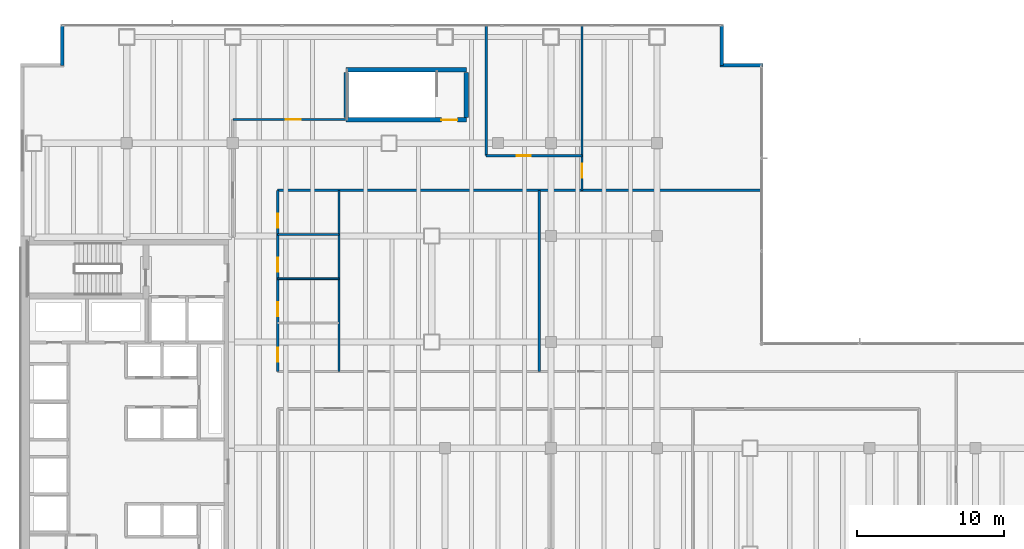
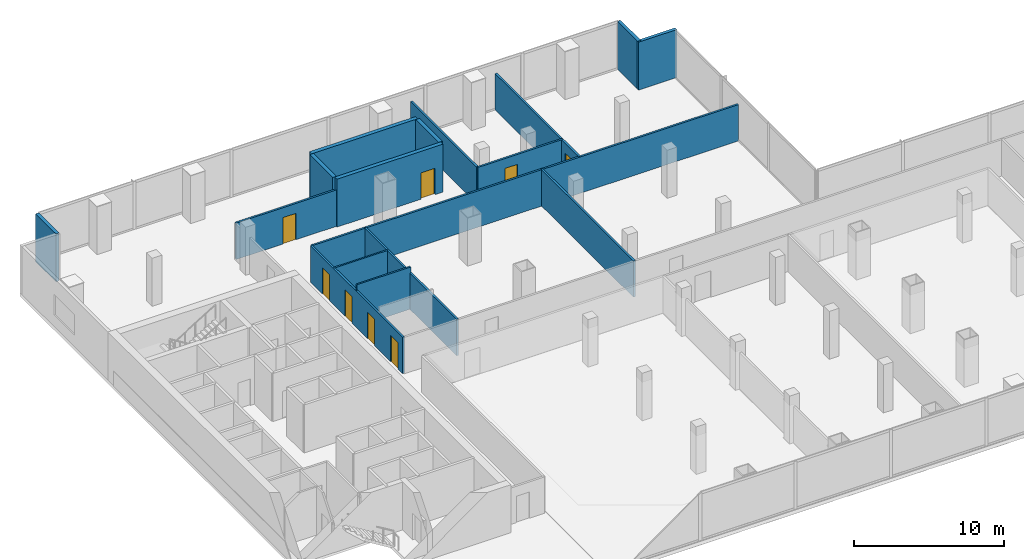
# One storey, part 25 of 32: 17 walls, 8 doors, 8 openings.
"""IFC4 building model written with IfcOpenShell, lengths in metres."""

from ifc_helpers import new_model, si_unit, direction, frame, frame_2d, origin, place, context, subcontext, project, spatial, rectangle, extrude, material, layer, layer_set, type_object, element, fill, save


model = new_model("IFC4")

# Units and contexts
model_context = context("Model", 3, precision=1e-05, world=origin(), true_north=direction((0.0, 1.0)))
body_context = subcontext(model_context, "Body", "Model", "MODEL_VIEW")
ifc_project = project(units=[si_unit("LENGTHUNIT", "METRE"), si_unit("AREAUNIT", "SQUARE_METRE"), si_unit("VOLUMEUNIT", "CUBIC_METRE"), si_unit("PLANEANGLEUNIT", "RADIAN"), si_unit("MASSUNIT", "GRAM", prefix="KILO")], contexts=[model_context])

# Site, building, storey
site_placement = place(None, origin())
site = spatial("IfcSite", under=ifc_project, at=site_placement, CompositionType="ELEMENT")
building_placement = place(site_placement, origin())
building = spatial("IfcBuilding", under=site, at=building_placement, Name="Cobrela Telecom Tower", CompositionType="ELEMENT")
storey_placement = place(building_placement, frame((0.0, 0.0, 22.050048828125)))
storey = spatial("IfcBuildingStorey", under=building, at=storey_placement, Name="L05", CompositionType="ELEMENT", Elevation=22.050048828125)

# Walls
ifc_material_1 = material(Name="Concrete C40/50", Category="concrete")
ifc_layer_1 = layer(ifc_material_1, 0.239990234375)
ifc_layer_set_1 = layer_set([ifc_layer_1], Name="Concrete C40/50")
wall_type_1 = type_object("IfcWallType", Name="WALL-EXT-300", PredefinedType="STANDARD", material=ifc_layer_set_1)
for number, where, z_axis, x_axis, name in (
    (1, (2.820068359375, 47.580078125, 0.0), (0.0, 0.0, 1.0), (0.0, 1.0, 0.0), "L05 Insulated Facade Wall 06"),
    (2, (47.580078125, 50.280029296875, 0.0), (0.0, 0.0, 1.0), (0.0, -1.0, 0.0), "L05 Insulated Facade Wall 08"),
):
    element("IfcWall", number, at=place(storey_placement, frame(where, z_axis=z_axis, x_axis=x_axis)), inside=storey, type_object=wall_type_1, Name=name, PredefinedType="STANDARD", context=body_context, shape_type="SweptSolid", body=[
        extrude(rectangle(XDim=2.699951171875, YDim=0.239990234375, at=frame_2d((1.35009765625, 0.0))), origin(), (0.0, 0.0, 1.0), 3.89990234375),
    ])
wall_1_placement = place(storey_placement, frame((47.4599609375, 47.580078125, 0.0), z_axis=(0.0, 0.0, 1.0), x_axis=(1.0, 0.0, 0.0)))
element("IfcWall", 3, at=wall_1_placement, inside=storey, type_object=wall_type_1, Name="L05 Insulated Facade Wall 09", PredefinedType="STANDARD", context=body_context, shape_type="SweptSolid", body=[
    extrude(rectangle(XDim=2.93994140625, YDim=0.239990234375, at=frame_2d((1.469970703125, 0.0))), origin(), (0.0, 0.0, 1.0), 3.89990234375),
])
ifc_material_2 = material(Name="Fire-Rated Gypsum Plasterboard")
ifc_layer_2 = layer(ifc_material_2, 0.125)
ifc_layer_set_2 = layer_set([ifc_layer_2], Name="Fire-Rated Gypsum Plasterboard")
wall_type_2 = type_object("IfcWallType", Name="WALL-PART-125", PredefinedType="PARTITIONING", material=ifc_layer_set_2)
wall_2_placement = place(storey_placement, frame((17.449951171875, 36.10009765625, 0.0), z_axis=(0.0, 0.0, 1.0), x_axis=(1.0, 0.0, 0.0)))
element("IfcWall", 4, at=wall_2_placement, inside=storey, type_object=wall_type_2, Name="L05 Interior Partition W-P4WC-1", PredefinedType="PARTITIONING", context=body_context, shape_type="SweptSolid", body=[
    extrude(rectangle(XDim=4.150146484375, YDim=0.125, at=frame_2d((2.0751953125, 0.0))), origin(), (0.0, 0.0, 1.0), 2.9580078125),
])
wall_3_placement = place(storey_placement, frame((17.449951171875, 33.10009765625, 0.0), z_axis=(0.0, 0.0, 1.0), x_axis=(1.0, 0.0, 0.0)))
element("IfcWall", 5, at=wall_3_placement, inside=storey, type_object=wall_type_2, Name="L05 Interior Partition W-P4WC-2", PredefinedType="PARTITIONING", context=body_context, shape_type="SweptSolid", body=[
    extrude(rectangle(XDim=4.150146484375, YDim=0.125, at=frame_2d((2.0751953125, 0.0))), origin(), (0.0, 0.0, 1.0), 3.41796875),
])

# Wall, openings, doors
ifc_layer_3 = layer(ifc_material_2, 0.14990234375)
ifc_layer_set_3 = layer_set([ifc_layer_3], Name="Fire-Rated Gypsum Plasterboard")
wall_type_3 = type_object("IfcWallType", Name="WALL-PART-150", PredefinedType="PARTITIONING", material=ifc_layer_set_3)
wall_4_placement = place(storey_placement, frame((17.449951171875, 26.800048828125, 0.0), z_axis=(0.0, 0.0, 1.0), x_axis=(0.0, 1.0, 0.0)))
wall_4 = element("IfcWall", 6, at=wall_4_placement, inside=storey, type_object=wall_type_3, Name="L05 Interior Partition W-P4-E2", PredefinedType="PARTITIONING", context=body_context, shape_type="SweptSolid", body=[
    extrude(rectangle(XDim=12.300048828125, YDim=0.14990234375, at=frame_2d((6.14990234375, 0.0))), origin(), (0.0, 0.0, 1.0), 2.9580078125),
])
opening_1_placement = place(wall_4_placement, frame((9.760009765625, 0.0, 0.0)))
opening_1 = element("IfcOpeningElement", 7, at=opening_1_placement, cuts=wall_4, Name="Opening DR-67", PredefinedType="OPENING", context=body_context, shape_type="SweptSolid", body=[
    extrude(rectangle(XDim=0.949951171875, YDim=2.14990234375, at=frame_2d((0.47509765625, 1.074951171875))), frame((0.0, 0.0869140625, 0.0), z_axis=(0.0, -1.0, 0.0), x_axis=(1.0, 0.0, 0.0)), (0.0, 0.0, 1.0), 0.173828125),
])
opening_2_placement = place(wall_4_placement, frame((6.760009765625, 0.0, 0.0)))
opening_2 = element("IfcOpeningElement", 8, at=opening_2_placement, cuts=wall_4, Name="Opening DR-67", PredefinedType="OPENING", context=body_context, shape_type="SweptSolid", body=[
    extrude(rectangle(XDim=0.949951171875, YDim=2.14990234375, at=frame_2d((0.47509765625, 1.074951171875))), frame((0.0, 0.0869140625, 0.0), z_axis=(0.0, -1.0, 0.0), x_axis=(1.0, 0.0, 0.0)), (0.0, 0.0, 1.0), 0.173828125),
])
opening_3_placement = place(wall_4_placement, frame((3.760009765625, 0.0, 0.0)))
opening_3 = element("IfcOpeningElement", 9, at=opening_3_placement, cuts=wall_4, Name="Opening DR-67", PredefinedType="OPENING", context=body_context, shape_type="SweptSolid", body=[
    extrude(rectangle(XDim=0.949951171875, YDim=2.14990234375, at=frame_2d((0.47509765625, 1.074951171875))), frame((0.0, 0.0869140625, 0.0), z_axis=(0.0, -1.0, 0.0), x_axis=(1.0, 0.0, 0.0)), (0.0, 0.0, 1.0), 0.173828125),
])
opening_4_placement = place(wall_4_placement, frame((0.64990234375, 0.0, 0.0)))
opening_4 = element("IfcOpeningElement", 10, at=opening_4_placement, cuts=wall_4, Name="Opening DR-67", PredefinedType="OPENING", context=body_context, shape_type="SweptSolid", body=[
    extrude(rectangle(XDim=0.949951171875, YDim=2.14990234375, at=frame_2d((0.47509765625, 1.074951171875))), frame((0.0, 0.0869140625, 0.0), z_axis=(0.0, -1.0, 0.0), x_axis=(1.0, 0.0, 0.0)), (0.0, 0.0, 1.0), 0.173828125),
])
ifc_material_3 = material(Name="Solid Engineered Oak Timber", Category="wood")
door_type_1 = type_object("IfcDoorType", Name="DOOR-INT-950", OperationType="SINGLE_SWING_LEFT", PredefinedType="DOOR", material=ifc_material_3)
door_1_placement = place(opening_1_placement, origin())
door_1 = element("IfcDoor", 11, at=door_1_placement, inside=storey, type_object=door_type_1, Name="L05 Door DR-67", OperationType="SINGLE_SWING_LEFT", OverallHeight=2.14990234375, OverallWidth=0.949951171875, PredefinedType="DOOR", context=body_context, shape_type="SweptSolid", body=[
    extrude(rectangle(XDim=0.949951171875, YDim=2.14990234375, at=frame_2d((0.47509765625, 1.074951171875))), frame((0.0, 0.02490234375, 0.0), z_axis=(0.0, -1.0, 0.0), x_axis=(1.0, 0.0, 0.0)), (0.0, 0.0, 1.0), 0.050048828125),
])
fill(opening_1, door_1)
door_2_placement = place(opening_2_placement, origin())
door_2 = element("IfcDoor", 12, at=door_2_placement, inside=storey, type_object=door_type_1, Name="L05 Door DR-67", OperationType="SINGLE_SWING_RIGHT", OverallHeight=2.14990234375, OverallWidth=0.949951171875, PredefinedType="DOOR", context=body_context, shape_type="SweptSolid", body=[
    extrude(rectangle(XDim=0.949951171875, YDim=2.14990234375, at=frame_2d((0.47509765625, 1.074951171875))), frame((0.0, 0.02490234375, 0.0), z_axis=(0.0, -1.0, 0.0), x_axis=(1.0, 0.0, 0.0)), (0.0, 0.0, 1.0), 0.050048828125),
])
fill(opening_2, door_2)
door_3_placement = place(opening_3_placement, origin())
door_3 = element("IfcDoor", 13, at=door_3_placement, inside=storey, type_object=door_type_1, Name="L05 Door DR-67", OperationType="SINGLE_SWING_LEFT", OverallHeight=2.14990234375, OverallWidth=0.949951171875, PredefinedType="DOOR", context=body_context, shape_type="SweptSolid", body=[
    extrude(rectangle(XDim=0.949951171875, YDim=2.14990234375, at=frame_2d((0.47509765625, 1.074951171875))), frame((0.0, 0.02490234375, 0.0), z_axis=(0.0, -1.0, 0.0), x_axis=(1.0, 0.0, 0.0)), (0.0, 0.0, 1.0), 0.050048828125),
])
fill(opening_3, door_3)
door_4_placement = place(opening_4_placement, origin())
door_4 = element("IfcDoor", 14, at=door_4_placement, inside=storey, type_object=door_type_1, Name="L05 Door DR-67", OperationType="SINGLE_SWING_RIGHT", OverallHeight=2.14990234375, OverallWidth=0.949951171875, PredefinedType="DOOR", context=body_context, shape_type="SweptSolid", body=[
    extrude(rectangle(XDim=0.949951171875, YDim=2.14990234375, at=frame_2d((0.47509765625, 1.074951171875))), frame((0.0, 0.02490234375, 0.0), z_axis=(0.0, -1.0, 0.0), x_axis=(1.0, 0.0, 0.0)), (0.0, 0.0, 1.0), 0.050048828125),
])
fill(opening_4, door_4)

# Wall, opening, door
wall_5_placement = place(storey_placement, frame((14.39990234375, 43.89990234375, 0.0), z_axis=(0.0, 0.0, 1.0), x_axis=(1.0, 0.0, 0.0)))
wall_5 = element("IfcWall", 15, at=wall_5_placement, inside=storey, type_object=wall_type_3, Name="L05 Interior Partition W-P4-N1", PredefinedType="PARTITIONING", context=body_context, shape_type="SweptSolid", body=[
    extrude(rectangle(XDim=7.7001953125, YDim=0.14990234375, at=frame_2d((3.85009765625, 0.0))), origin(), (0.0, 0.0, 1.0), 2.9580078125),
])
opening_5_placement = place(wall_5_placement, frame((3.60009765625, 0.0, 0.0)))
opening_5 = element("IfcOpeningElement", 16, at=opening_5_placement, cuts=wall_5, Name="Opening DR-31", PredefinedType="OPENING", context=body_context, shape_type="SweptSolid", body=[
    extrude(rectangle(XDim=1.0, YDim=2.14990234375, at=frame_2d((0.5, 1.074951171875))), frame((0.0, 0.0869140625, 0.0), z_axis=(0.0, -1.0, 0.0), x_axis=(1.0, 0.0, 0.0)), (0.0, 0.0, 1.0), 0.173828125),
])
door_type_2 = type_object("IfcDoorType", Name="DOOR-INT-1000", OperationType="SINGLE_SWING_LEFT", PredefinedType="DOOR", material=ifc_material_3)
door_5_placement = place(opening_5_placement, origin())
door_5 = element("IfcDoor", 17, at=door_5_placement, inside=storey, type_object=door_type_2, Name="L05 Door DR-31", OperationType="SINGLE_SWING_LEFT", OverallHeight=2.14990234375, OverallWidth=1.0, PredefinedType="DOOR", context=body_context, shape_type="SweptSolid", body=[
    extrude(rectangle(XDim=1.0, YDim=2.14990234375, at=frame_2d((0.5, 1.074951171875))), frame((0.0, 0.02490234375, 0.0), z_axis=(0.0, -1.0, 0.0), x_axis=(1.0, 0.0, 0.0)), (0.0, 0.0, 1.0), 0.050048828125),
])
fill(opening_5, door_5)

wall_6_placement = place(storey_placement, frame((31.60009765625, 41.449951171875, 0.0), z_axis=(0.0, 0.0, 1.0), x_axis=(1.0, 0.0, 0.0)))
wall_6 = element("IfcWall", 18, at=wall_6_placement, inside=storey, type_object=wall_type_3, Name="L05 Interior Partition W-P4-N2C", PredefinedType="PARTITIONING", context=body_context, shape_type="SweptSolid", body=[
    extrude(rectangle(XDim=6.5, YDim=0.14990234375, at=frame_2d((3.25, 0.0))), origin(), (0.0, 0.0, 1.0), 2.9580078125),
])
opening_6_placement = place(wall_6_placement, frame((2.080078125, 0.0, 0.0)))
opening_6 = element("IfcOpeningElement", 19, at=opening_6_placement, cuts=wall_6, Name="Opening DR-67", PredefinedType="OPENING", context=body_context, shape_type="SweptSolid", body=[
    extrude(rectangle(XDim=0.949951171875, YDim=2.14990234375, at=frame_2d((0.47509765625, 1.074951171875))), frame((0.0, 0.0869140625, 0.0), z_axis=(0.0, -1.0, 0.0), x_axis=(1.0, 0.0, 0.0)), (0.0, 0.0, 1.0), 0.173828125),
])
door_6_placement = place(opening_6_placement, origin())
door_6 = element("IfcDoor", 20, at=door_6_placement, inside=storey, type_object=door_type_1, Name="L05 Door DR-67", OperationType="SINGLE_SWING_RIGHT", OverallHeight=2.14990234375, OverallWidth=0.949951171875, PredefinedType="DOOR", context=body_context, shape_type="SweptSolid", body=[
    extrude(rectangle(XDim=0.949951171875, YDim=2.14990234375, at=frame_2d((0.47509765625, 1.074951171875))), frame((0.0, 0.02490234375, 0.0), z_axis=(0.0, -1.0, 0.0), x_axis=(1.0, 0.0, 0.0)), (0.0, 0.0, 1.0), 0.050048828125),
])
fill(opening_6, door_6)

# Walls
wall_7_placement = place(storey_placement, frame((17.449951171875, 39.10009765625, 0.0), z_axis=(0.0, 0.0, 1.0), x_axis=(1.0, 0.0, 0.0)))
element("IfcWall", 21, at=wall_7_placement, inside=storey, type_object=wall_type_3, Name="L05 Interior Partition W-P4-N2B", PredefinedType="PARTITIONING", context=body_context, shape_type="SweptSolid", body=[
    extrude(rectangle(XDim=32.830078125, YDim=0.14990234375, at=frame_2d((16.4150390625, 0.0))), origin(), (0.0, 0.0, 1.0), 2.9580078125),
])
wall_8_placement = place(storey_placement, frame((31.60009765625, 41.449951171875, 0.0), z_axis=(0.0, 0.0, 1.0), x_axis=(0.0, 1.0, 0.0)))
element("IfcWall", 22, at=wall_8_placement, inside=storey, type_object=wall_type_3, Name="L05 Interior Partition W-P4-N3M", PredefinedType="PARTITIONING", context=body_context, shape_type="SweptSolid", body=[
    extrude(rectangle(XDim=8.830078125, YDim=0.14990234375, at=frame_2d((4.4150390625, 0.0))), origin(), (0.0, 0.0, 1.0), 2.9580078125),
])

# Wall, opening, door
wall_9_placement = place(storey_placement, frame((38.10009765625, 39.10009765625, 0.0), z_axis=(0.0, 0.0, 1.0), x_axis=(0.0, 1.0, 0.0)))
wall_9 = element("IfcWall", 23, at=wall_9_placement, inside=storey, type_object=wall_type_3, Name="L05 Interior Partition W-P4-N3E", PredefinedType="PARTITIONING", context=body_context, shape_type="SweptSolid", body=[
    extrude(rectangle(XDim=11.179931640625, YDim=0.14990234375, at=frame_2d((5.58984375, 0.0))), origin(), (0.0, 0.0, 1.0), 2.9580078125),
])
opening_7_placement = place(wall_9_placement, frame((0.85009765625, 0.0, 0.0)))
opening_7 = element("IfcOpeningElement", 24, at=opening_7_placement, cuts=wall_9, Name="Opening DR-67", PredefinedType="OPENING", context=body_context, shape_type="SweptSolid", body=[
    extrude(rectangle(XDim=0.949951171875, YDim=2.14990234375, at=frame_2d((0.47509765625, 1.074951171875))), frame((0.0, 0.0869140625, 0.0), z_axis=(0.0, -1.0, 0.0), x_axis=(1.0, 0.0, 0.0)), (0.0, 0.0, 1.0), 0.173828125),
])
door_7_placement = place(opening_7_placement, origin())
door_7 = element("IfcDoor", 25, at=door_7_placement, inside=storey, type_object=door_type_1, Name="L05 Door DR-67", OperationType="SINGLE_SWING_LEFT", OverallHeight=2.14990234375, OverallWidth=0.949951171875, PredefinedType="DOOR", context=body_context, shape_type="SweptSolid", body=[
    extrude(rectangle(XDim=0.949951171875, YDim=2.14990234375, at=frame_2d((0.47509765625, 1.074951171875))), frame((0.0, 0.02490234375, 0.0), z_axis=(0.0, -1.0, 0.0), x_axis=(1.0, 0.0, 0.0)), (0.0, 0.0, 1.0), 0.050048828125),
])
fill(opening_7, door_7)

# Walls
for number, where, z_axis, x_axis, name in (
    (26, (21.60009765625, 26.800048828125, 0.0), (0.0, 0.0, 1.0), (0.0, 1.0, 0.0), "L05 Interior Partition W-P4WC-E"),
    (27, (35.199951171875, 26.800048828125, 0.0), (0.0, 0.0, 1.0), (0.0, 1.0, 0.0), "L05 Interior Partition W-P4-NV1"),
):
    element("IfcWall", number, at=place(storey_placement, frame(where, z_axis=z_axis, x_axis=x_axis)), inside=storey, type_object=wall_type_3, Name=name, PredefinedType="PARTITIONING", context=body_context, shape_type="SweptSolid", body=[
        extrude(rectangle(XDim=12.300048828125, YDim=0.14990234375, at=frame_2d((6.14990234375, 0.0))), origin(), (0.0, 0.0, 1.0), 2.9580078125),
    ])

# Wall, opening, door
ifc_layer_4 = layer(ifc_material_1, 0.39990234375)
ifc_layer_set_4 = layer_set([ifc_layer_4], Name="Concrete C40/50")
wall_type_4 = type_object("IfcWallType", Name="WALL-SHAFT-C40-400", PredefinedType="SHEAR", material=ifc_layer_set_4)
wall_10_placement = place(storey_placement, frame((22.10009765625, 43.8798828125, 0.0), z_axis=(0.0, 0.0, 1.0), x_axis=(1.0, 0.0, 0.0)))
wall_10 = element("IfcWall", 28, at=wall_10_placement, inside=storey, type_object=wall_type_4, Name="L05 Podium Stair ST3 South Shear Wall", PredefinedType="SHEAR", context=body_context, shape_type="SweptSolid", body=[
    extrude(rectangle(XDim=8.14990234375, YDim=0.300048828125, at=frame_2d((4.074951171875, 0.0))), origin(), (0.0, 0.0, 1.0), 3.89990234375),
])
opening_8_placement = place(wall_10_placement, frame((6.449951171875, 0.0, 0.0)))
opening_8 = element("IfcOpeningElement", 29, at=opening_8_placement, cuts=wall_10, Name="Opening FD-90", PredefinedType="OPENING", context=body_context, shape_type="SweptSolid", body=[
    extrude(rectangle(XDim=1.10009765625, YDim=2.14990234375, at=frame_2d((0.550048828125, 1.074951171875))), frame((0.0, 0.162109375, 0.0), z_axis=(0.0, -1.0, 0.0), x_axis=(1.0, 0.0, 0.0)), (0.0, 0.0, 1.0), 0.323974609375),
])
ifc_material_4 = material(Name="Steel ASTM A36", Category="steel")
door_type_3 = type_object("IfcDoorType", Name="DOOR-FD90-1100", OperationType="SINGLE_SWING_LEFT", PredefinedType="DOOR", material=ifc_material_4)
door_8_placement = place(opening_8_placement, origin())
door_8 = element("IfcDoor", 30, at=door_8_placement, inside=storey, type_object=door_type_3, Name="L05 Door FD-90", OperationType="SINGLE_SWING_LEFT", OverallHeight=2.14990234375, OverallWidth=1.10009765625, PredefinedType="DOOR", context=body_context, shape_type="SweptSolid", body=[
    extrude(rectangle(XDim=1.10009765625, YDim=2.14990234375, at=frame_2d((0.550048828125, 1.074951171875))), frame((0.0, 0.02490234375, 0.0), z_axis=(0.0, -1.0, 0.0), x_axis=(1.0, 0.0, 0.0)), (0.0, 0.0, 1.0), 0.050048828125),
])
fill(opening_8, door_8)

# Walls
wall_11_placement = place(storey_placement, frame((22.10009765625, 47.27001953125, 0.0), z_axis=(0.0, 0.0, 1.0), x_axis=(1.0, 0.0, 0.0)))
element("IfcWall", 31, at=wall_11_placement, inside=storey, type_object=wall_type_4, Name="L05 Podium Stair ST3 North Shear Wall", PredefinedType="SHEAR", context=body_context, shape_type="SweptSolid", body=[
    extrude(rectangle(XDim=8.14990234375, YDim=0.300048828125, at=frame_2d((4.074951171875, 0.0))), origin(), (0.0, 0.0, 1.0), 3.89990234375),
])
for number, where, z_axis, x_axis, name in (
    (32, (22.10009765625, 44.050048828125, 0.0), (0.0, 0.0, 1.0), (0.0, 1.0, 0.0), "L05 Podium Stair ST3 West Shear Wall"),
    (33, (30.25, 44.050048828125, 0.0), (0.0, 0.0, 1.0), (0.0, 1.0, 0.0), "L05 Podium Stair ST3 East Shear Wall"),
):
    element("IfcWall", number, at=place(storey_placement, frame(where, z_axis=z_axis, x_axis=x_axis)), inside=storey, type_object=wall_type_4, Name=name, PredefinedType="SHEAR", context=body_context, shape_type="SweptSolid", body=[
        extrude(rectangle(XDim=3.050048828125, YDim=0.300048828125, at=frame_2d((1.52490234375, 0.0))), origin(), (0.0, 0.0, 1.0), 3.89990234375),
    ])

save(model, "model.ifc")
